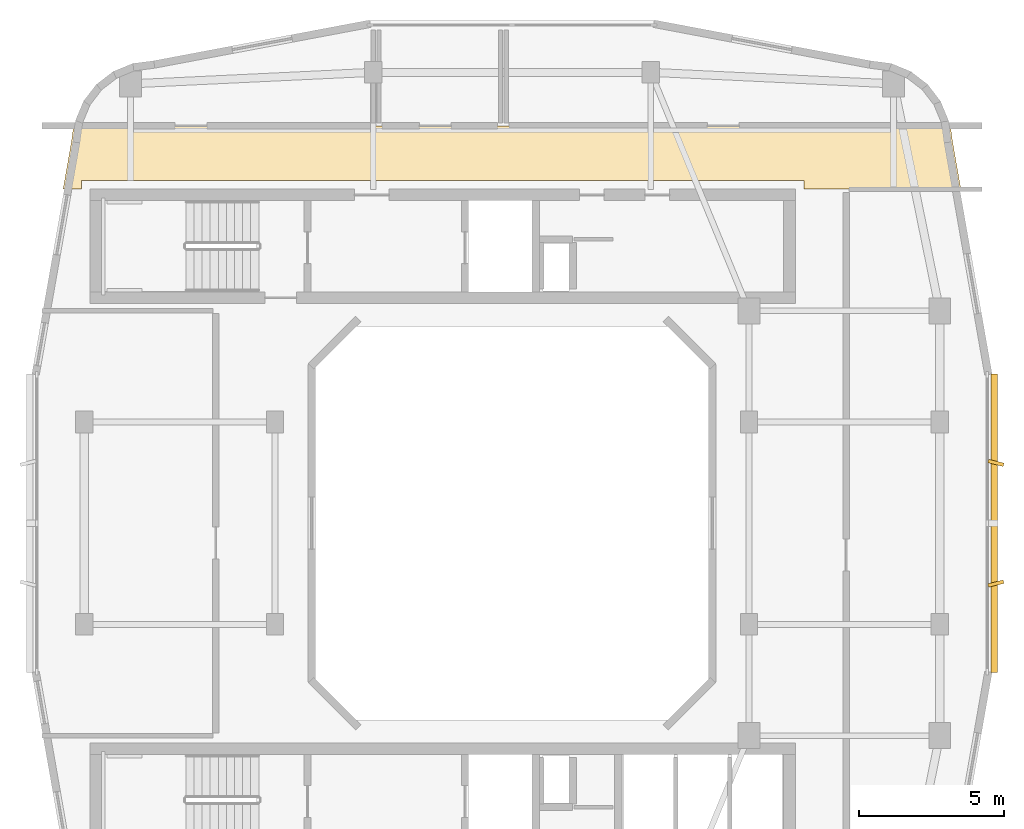
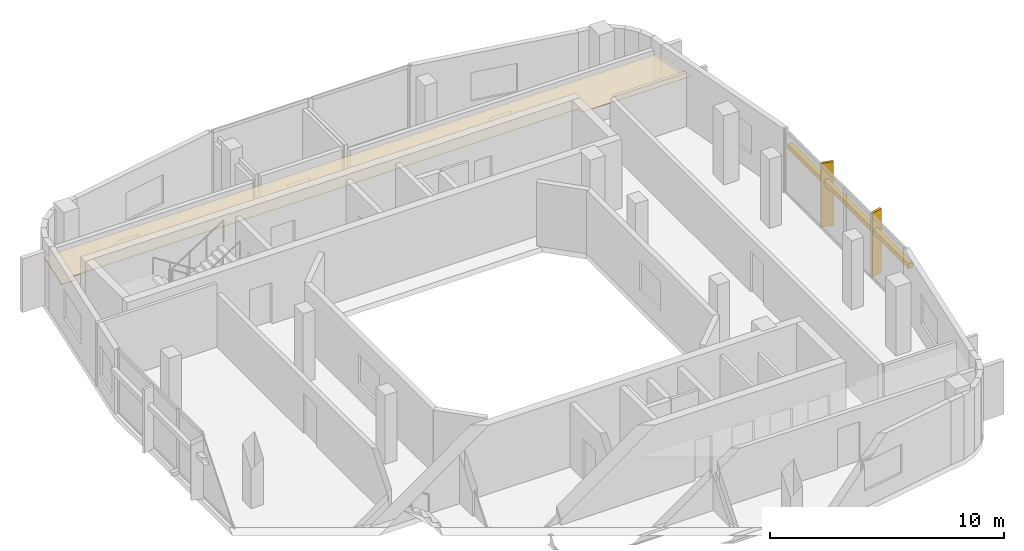
# One storey, part 8 of 8: 3 shading devices, 1 covering.
"""IFC4 building model written with IfcOpenShell, lengths in metres."""

import ifcopenshell
import ifcopenshell.guid

model = None  # the IFC model being written
_history = None  # IfcOwnerHistory: only IFC2X3 demands one
_inside = {}  # id of a spatial element -> (the spatial element, [elements in it])
_under = {}  # id of a project, library or spatial element -> (it, [spatial elements below it])
_declared = {}  # id of a project -> (the project, [libraries it declares])
_typed = {}  # id of a type object -> (the type object, [elements of that type])
_made_of = {}  # id of a material, layer set ... -> (it, [elements and type objects made of it])


def new_model(schema):
    """Start an empty IFC model of exactly this schema.

    Asked for "IFC4X3", IfcOpenShell would pick the latest addendum, in which some entities
    have other attributes; the version numbers below select the first issue.
    IFC2X3 requires an IfcOwnerHistory on every rooted entity: one is made here for all.
    """
    global model, _history
    if schema == "IFC4X3":
        model = ifcopenshell.file(schema_version=(4, 3, 0, 0))
    else:
        model = ifcopenshell.file(schema=schema)
    _inside.clear()
    _under.clear()
    _declared.clear()
    _typed.clear()
    _made_of.clear()
    _history = None
    if model.schema == "IFC2X3":
        org = make("IfcOrganization", Name="unknown")
        user = make(
            "IfcPersonAndOrganization",
            ThePerson=make("IfcPerson", FamilyName="unknown"),
            TheOrganization=org,
        )
        app = make(
            "IfcApplication",
            ApplicationDeveloper=org,
            Version="unknown",
            ApplicationFullName="unknown",
            ApplicationIdentifier="unknown",
        )
        _history = make(
            "IfcOwnerHistory",
            OwningUser=user,
            OwningApplication=app,
            ChangeAction="ADDED",
            CreationDate=0,
        )
    return model


def make(cls, **values):
    """One entity of the class cls with the attributes given. An attribute that is None is left unset."""
    return model.create_entity(
        cls, **{name: value for name, value in values.items() if value is not None}
    )


def rooted(cls, **values):
    """An entity with a GlobalId (a new one), such as an element, a storey or a relation."""
    return make(cls, GlobalId=ifcopenshell.guid.new(), OwnerHistory=_history, **values)


def si_unit(unit_type, name, prefix=None):
    """IfcSIUnit, for example si_unit("LENGTHUNIT", "METRE", prefix="MILLI")."""
    return make("IfcSIUnit", UnitType=unit_type, Prefix=prefix, Name=name)


def derived_unit(unit_type, elements):
    """IfcDerivedUnit: a product of units, each with its exponent."""
    return make(
        "IfcDerivedUnit",
        Elements=[
            make("IfcDerivedUnitElement", Unit=unit, Exponent=power)
            for unit, power in elements
        ],
        UnitType=unit_type,
    )


def assignment(units):
    """IfcUnitAssignment: the units of a project."""
    return None if units is None else make("IfcUnitAssignment", Units=units)


def point(xyz):
    """IfcCartesianPoint."""
    return None if xyz is None else make("IfcCartesianPoint", Coordinates=xyz)


def direction(xyz):
    """IfcDirection."""
    return None if xyz is None else make("IfcDirection", DirectionRatios=xyz)


def frame(location, z_axis=None, x_axis=None):
    """IfcAxis2Placement3D, a coordinate frame: its origin and axes. An axis left out is left unset."""
    return make(
        "IfcAxis2Placement3D",
        Location=point(location),
        Axis=direction(z_axis),
        RefDirection=direction(x_axis),
    )


def frame_2d(location, x_axis=None):
    """IfcAxis2Placement2D, a coordinate frame in the plane: its origin and x axis."""
    return make(
        "IfcAxis2Placement2D", Location=point(location), RefDirection=direction(x_axis)
    )


def origin():
    """The frame at (0, 0, 0) with its axes left unset."""
    return frame((0.0, 0.0, 0.0))


def origin_2d():
    """The frame at (0, 0) in the plane with its x axis left unset."""
    return frame_2d((0.0, 0.0))


def place(relative_to, where):
    """IfcLocalPlacement: puts the frame where relative to a parent placement (None: the world)."""
    return make(
        "IfcLocalPlacement", PlacementRelTo=relative_to, RelativePlacement=where
    )


def context(
    kind, dimensions, precision=None, world=None, true_north=None, identifier=None
):
    """IfcGeometricRepresentationContext, for example the 3D "Model" context."""
    return make(
        "IfcGeometricRepresentationContext",
        ContextIdentifier=identifier,
        ContextType=kind,
        CoordinateSpaceDimension=dimensions,
        Precision=precision,
        WorldCoordinateSystem=world,
        TrueNorth=true_north,
    )


def subcontext(parent, identifier, kind, view, scale=None):
    """IfcGeometricRepresentationSubContext, for example "Body" below "Model"."""
    return make(
        "IfcGeometricRepresentationSubContext",
        ContextIdentifier=identifier,
        ContextType=kind,
        ParentContext=parent,
        TargetScale=scale,
        TargetView=view,
    )


def project(units=None, contexts=None):
    """IfcProject with its units and contexts."""
    return rooted(
        "IfcProject",
        Name="project",
        RepresentationContexts=contexts,
        UnitsInContext=assignment(units),
    )


def spatial(cls, under=None, at=None, **own):
    """A site, building, storey or space (cls), placed at a placement, below another one or the project."""
    s = rooted(cls, ObjectPlacement=at, **own)
    if under is not None:
        _under.setdefault(under.id(), (under, []))[1].append(s)
    return s


def polyline(points):
    """IfcPolyline through the points."""
    return make("IfcPolyline", Points=[point(p) for p in points])


def profile(cls, at=None, kind="AREA", **sizes):
    """A parametric profile (cls). Its sizes go by their IFC names, for example OverallWidth=200.0."""
    return make(cls, ProfileType=kind, Position=at, **sizes)


def rectangle(**sizes):
    """IfcRectangleProfileDef."""
    return profile("IfcRectangleProfileDef", **sizes)


def outline(outer, holes=None, kind="AREA"):
    """IfcArbitraryClosedProfileDef: a profile drawn as a closed curve; with holes, ...WithVoids."""
    if holes is None:
        return make("IfcArbitraryClosedProfileDef", ProfileType=kind, OuterCurve=outer)
    return make(
        "IfcArbitraryProfileDefWithVoids",
        ProfileType=kind,
        OuterCurve=outer,
        InnerCurves=holes,
    )


def extrude(swept, where, along, depth):
    """IfcExtrudedAreaSolid: the profile swept, set in the frame where, extruded along a direction by depth."""
    return make(
        "IfcExtrudedAreaSolid",
        SweptArea=swept,
        Position=where,
        ExtrudedDirection=direction(along),
        Depth=depth,
    )


def shape(context_of_items, identifier, shape_type, items):
    """IfcShapeRepresentation: the items that make up one representation, for example the "Body"."""
    return make(
        "IfcShapeRepresentation",
        ContextOfItems=context_of_items,
        RepresentationIdentifier=identifier,
        RepresentationType=shape_type,
        Items=items,
    )


def material(Name=None, Category=None):
    """IfcMaterial."""
    return make("IfcMaterial", Name=Name, Category=Category)


def layer(
    of_material, thickness, ventilated=None, Name=None, Category=None, Priority=None
):
    """IfcMaterialLayer: one layer of a wall or slab, of a material (None: an air gap)."""
    return make(
        "IfcMaterialLayer",
        Material=of_material,
        LayerThickness=thickness,
        IsVentilated=ventilated,
        Name=Name,
        Category=Category,
        Priority=Priority,
    )


def layer_set(layers, Name=None):
    """IfcMaterialLayerSet."""
    return make("IfcMaterialLayerSet", MaterialLayers=layers, LayerSetName=Name)


def made_of(thing, what):
    """Note that an element or type object is made of a material, layer set ...; save() writes the relation."""
    if what is not None:
        _made_of.setdefault(what.id(), (what, []))[1].append(thing)
    return thing


def type_object(cls, material=None, **own):
    """A type object (cls), such as IfcWallType, which elements share."""
    return made_of(rooted(cls, **own), material)


def element(
    cls,
    number,
    at=None,
    inside=None,
    cuts=None,
    type_object=None,
    material=None,
    context=None,
    identifier="Body",
    shape_type=None,
    held_by="IfcProductDefinitionShape",
    body=None,
    shapes=None,
    **own,
):
    """One element of the class cls, such as IfcWall. Its Tag is "e" and its number.

    at: its placement. inside: the storey or other place that contains it. cuts: it is an
    opening in that element (IfcRelVoidsElement). A single representation is given by context,
    identifier, shape_type and body (its items); several are given by shapes. held_by: the class
    of the entity that holds the representations. save() writes the other relations.
    """
    e = rooted(cls, Tag="e%d" % number, ObjectPlacement=at, **own)
    if body is not None:
        shapes = [shape(context, identifier, shape_type, body)]
    if shapes is not None:
        e.Representation = make(held_by, Representations=shapes)
    if inside is not None:
        _inside.setdefault(inside.id(), (inside, []))[1].append(e)
    if cuts is not None:
        rooted(
            "IfcRelVoidsElement", RelatingBuildingElement=cuts, RelatedOpeningElement=e
        )
    if type_object is not None:
        _typed.setdefault(type_object.id(), (type_object, []))[1].append(e)
    return made_of(e, material)


def aggregate(whole, parts):
    """IfcRelAggregates: a whole, such as a stair, and the parts it consists of."""
    return rooted("IfcRelAggregates", RelatingObject=whole, RelatedObjects=parts)


def save(model, path):
    """Write the relations noted so far, then the file.

    IfcRelAggregates (storeys below a building ...), IfcRelContainedInSpatialStructure (elements
    in a storey), IfcRelDefinesByType, IfcRelAssociatesMaterial and IfcRelDeclares: one each for
    every whole, place, type object, material and project.
    """
    for whole, parts in _under.values():
        aggregate(whole, parts)
    for where, things in _inside.values():
        rooted(
            "IfcRelContainedInSpatialStructure",
            RelatedElements=things,
            RelatingStructure=where,
        )
    for kind, things in _typed.values():
        rooted("IfcRelDefinesByType", RelatedObjects=things, RelatingType=kind)
    for what, things in _made_of.values():
        rooted("IfcRelAssociatesMaterial", RelatedObjects=things, RelatingMaterial=what)
    for by, libraries in _declared.values():
        rooted("IfcRelDeclares", RelatingContext=by, RelatedDefinitions=libraries)
    model.write(path)


model = new_model("IFC4")

# Units and contexts
model_context = context("Model", 3, precision=1e-05, world=origin(), true_north=direction((0.0, 1.0)))
body_context = subcontext(model_context, "Body", "Model", "MODEL_VIEW")
ifc_project = project(units=[si_unit("LENGTHUNIT", "METRE"), si_unit("AREAUNIT", "SQUARE_METRE"), si_unit("VOLUMEUNIT", "CUBIC_METRE"), si_unit("PLANEANGLEUNIT", "RADIAN"), si_unit("MASSUNIT", "GRAM", prefix="KILO"), derived_unit("THERMALTRANSMITTANCEUNIT", [(si_unit("POWERUNIT", "WATT"), 1), (si_unit("LENGTHUNIT", "METRE"), -2), (si_unit("THERMODYNAMICTEMPERATUREUNIT", "KELVIN"), -1)])], contexts=[model_context])

# Site, building, storey
site_placement = place(None, origin())
site = spatial("IfcSite", under=ifc_project, at=site_placement, CompositionType="ELEMENT")
building_placement = place(site_placement, origin())
building = spatial("IfcBuilding", under=site, at=building_placement, Name="Kivonza Crest Hotel", CompositionType="ELEMENT")
storey_placement = place(building_placement, frame((0.0, 0.0, 268.39990234375)))
storey = spatial("IfcBuildingStorey", under=building, at=storey_placement, Name="L73", CompositionType="ELEMENT", Elevation=268.39990234375)

# Covering
ifc_material_1 = material(Name="Moisture-resistant gypsum plasterboard ceiling", Category="gypsum")
ifc_layer = layer(ifc_material_1, 0.030029296875)
ifc_layer_set = layer_set([ifc_layer], Name="Moisture-resistant gypsum plasterboard ceiling")
covering_type = type_object("IfcCoveringType", Name="CV-CEIL-GYP", PredefinedType="CEILING", material=ifc_layer_set)
covering_placement = place(storey_placement, frame((0.0, 0.0, 2.4501953125)))
element("IfcCovering", 1, at=covering_placement, inside=storey, type_object=covering_type, Name="L73 L73 Crown North Gallery Corridor suspended ceiling", PredefinedType="CEILING", context=body_context, shape_type="SweptSolid", body=[
    extrude(outline(polyline([(5.8310546875, 38.739990234375), (5.760009765625, 38.2060546875), (5.470947265625, 36.56005859375), (6.10009765625, 36.56005859375), (6.10009765625, 36.860107421875), (31.10009765625, 36.860107421875), (31.10009765625, 36.56005859375), (36.529052734375, 36.56005859375), (36.239990234375, 38.2060546875), (36.1689453125, 38.739990234375), (5.8310546875, 38.739990234375)])), origin(), (0.0, 0.0, 1.0), 0.02978515625),
])

# Shading devices
ifc_material_2 = material(Name="Kiln-fired Nairobi red-ochre terracotta", Category="masonry")
shading_device_type_1 = type_object("IfcShadingDeviceType", Name="SH-BAGUETTE-300", PredefinedType="USERDEFINED", material=ifc_material_2)
shading_device_placement = place(storey_placement, frame((37.679931640625, 25.0, 2.1943359375), z_axis=(0.0, 0.0, 1.0), x_axis=(0.0, 1.0, 0.0)))
element("IfcShadingDevice", 2, at=shading_device_placement, inside=storey, type_object=shading_device_type_1, Name="L73 terracotta baguette screen CW-T1-L73-17", ObjectType="BAGUETTE", PredefinedType="USERDEFINED", context=body_context, shape_type="SweptSolid", body=[
    extrude(rectangle(XDim=10.320068359375, YDim=0.219970703125, at=origin_2d()), origin(), (0.0, 0.0, 1.0), 0.260009765625),
])
ifc_material_3 = material(Name="Kiln-fired terracotta over extruded aluminium spine", Category="masonry")
shading_device_type_2 = type_object("IfcShadingDeviceType", Name="SH-FIN-550", PredefinedType="USERDEFINED", material=ifc_material_3)
for number, where, z_axis, x_axis, name in (
    (3, (37.739990234375, 22.912109375, 0.0), (0.0, 0.0, 1.0), (-0.2419218956, 0.970295726276, 0.0), "L73 vertical solar shading fin CW-T1-L73-17-1"),
    (4, (37.739990234375, 27.087890625, 0.0), (0.0, 0.0, 1.0), (0.2419218956, 0.970295726276, 0.0), "L73 vertical solar shading fin CW-T1-L73-17-2"),
):
    element("IfcShadingDevice", number, at=place(storey_placement, frame(where, z_axis=z_axis, x_axis=x_axis)), inside=storey, type_object=shading_device_type_2, Name=name, ObjectType="FIN", PredefinedType="USERDEFINED", context=body_context, shape_type="SweptSolid", body=[
        extrude(rectangle(XDim=0.1201171875, YDim=0.550048828125, at=origin_2d()), origin(), (0.0, 0.0, 1.0), 3.320068359375),
    ])

save(model, "model.ifc")
